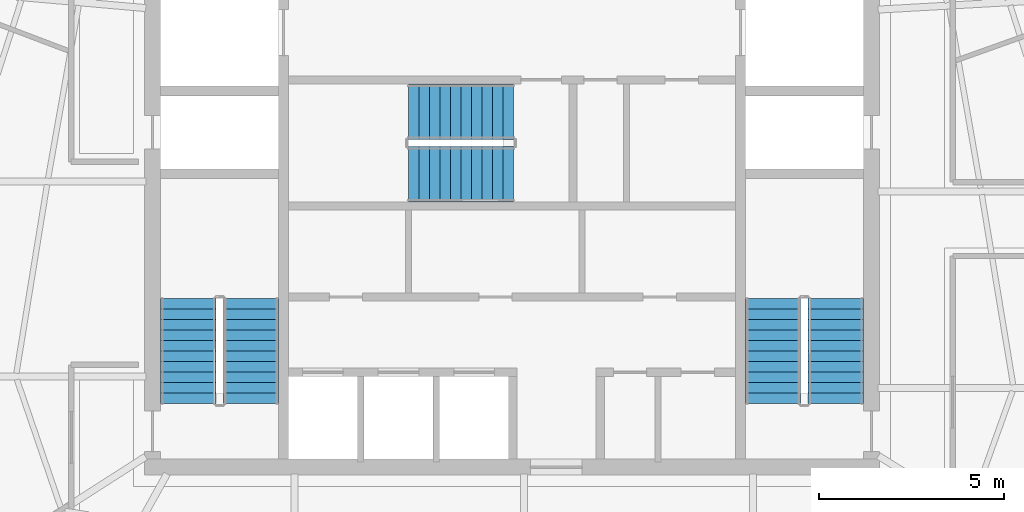
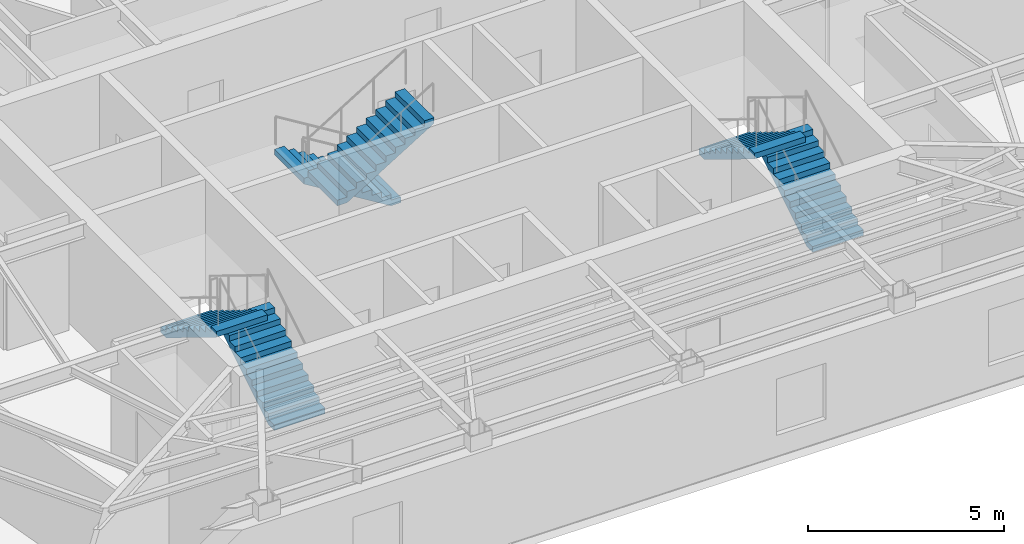
# One storey, part 10 of 11: 6 stair flights, 3 elements without a shape of their own.
"""IFC4 building model written with IfcOpenShell, lengths in metres."""

from ifc_helpers import new_model, si_unit, direction, frame, origin, place, context, subcontext, project, spatial, polyline, outline, extrude, material, type_object, element, aggregate, save


model = new_model("IFC4")

# Units and contexts
model_context = context("Model", 3, precision=1e-05, world=origin(), true_north=direction((0.0, 1.0)))
body_context = subcontext(model_context, "Body", "Model", "MODEL_VIEW")
ifc_project = project(units=[si_unit("LENGTHUNIT", "METRE"), si_unit("AREAUNIT", "SQUARE_METRE"), si_unit("VOLUMEUNIT", "CUBIC_METRE"), si_unit("PLANEANGLEUNIT", "RADIAN"), si_unit("MASSUNIT", "GRAM", prefix="KILO")], contexts=[model_context])

# Site, building, storey
site_placement = place(None, origin())
site = spatial("IfcSite", under=ifc_project, at=site_placement, CompositionType="ELEMENT")
building_placement = place(site_placement, origin())
building = spatial("IfcBuilding", under=site, at=building_placement, Name="Kavelnor Concourse Tower", CompositionType="ELEMENT")
storey_placement = place(building_placement, frame((0.0, 0.0, 195.800048828125)))
storey = spatial("IfcBuildingStorey", under=building, at=storey_placement, Name="L49", CompositionType="ELEMENT", Elevation=195.800048828125)

# Stair, stair flights
ifc_material = material(Name="Concrete C40/50", Category="concrete")
stair_type = type_object("IfcStairType", Name="STR-CORE-1500", PredefinedType="HALF_TURN_STAIR", material=ifc_material)
stair_1_placement = place(storey_placement, origin())
stair_1 = element("IfcStair", 1, at=stair_1_placement, inside=storey, type_object=stair_type, Name="L49 ST1", PredefinedType="HALF_TURN_STAIR")
stair_flight_type = type_object("IfcStairFlightType", Name="STR-FLIGHT-1500", PredefinedType="STRAIGHT", material=ifc_material)
stair_flight_1_placement = place(storey_placement, frame((30.929931640625, 11.10009765625, 0.0), z_axis=(0.0, 0.0, 1.0), x_axis=(0.0, 1.0, 0.0)))
stair_flight_1 = element("IfcStairFlight", 2, at=stair_flight_1_placement, type_object=stair_flight_type, Name="ST1 flight 1", NumberOfRisers=11, NumberOfTreads=10, PredefinedType="STRAIGHT", RiserHeight=0.175, TreadLength=0.285, context=body_context, shape_type="SweptSolid", body=[
    extrude(outline(polyline([(0.0, 0.0), (0.0, 0.175048828125), (0.284912109375, 0.175048828125), (0.284912109375, 0.35009765625), (0.570068359375, 0.35009765625), (0.570068359375, 0.52490234375), (0.85498046875, 0.52490234375), (0.85498046875, 0.699951171875), (1.139892578125, 0.699951171875), (1.139892578125, 0.875), (1.425048828125, 0.875), (1.425048828125, 1.050048828125), (1.7099609375, 1.050048828125), (1.7099609375, 1.22509765625), (1.9951171875, 1.22509765625), (1.9951171875, 1.39990234375), (2.280029296875, 1.39990234375), (2.280029296875, 1.574951171875), (2.56494140625, 1.574951171875), (2.56494140625, 1.75), (2.85009765625, 1.75), (2.85009765625, 1.925048828125), (2.85009765625, 1.573974609375), (0.286376953125, 0.0), (0.0, 0.0)])), frame((0.0, 0.75, 0.0), z_axis=(0.0, -1.0, 0.0), x_axis=(1.0, 0.0, 0.0)), (0.0, 0.0, 1.0), 1.5),
])
stair_flight_2_placement = place(storey_placement, frame((29.22998046875, 13.949951171875, 1.925048828125), z_axis=(0.0, 0.0, 1.0), x_axis=(0.0, -1.0, 0.0)))
stair_flight_2 = element("IfcStairFlight", 3, at=stair_flight_2_placement, type_object=stair_flight_type, Name="ST1 flight 2", NumberOfRisers=11, NumberOfTreads=10, PredefinedType="STRAIGHT", RiserHeight=0.175, TreadLength=0.285, context=body_context, shape_type="SweptSolid", body=[
    extrude(outline(polyline([(0.0, 0.0), (0.0, 0.175048828125), (0.284912109375, 0.175048828125), (0.284912109375, 0.35009765625), (0.570068359375, 0.35009765625), (0.570068359375, 0.52490234375), (0.85498046875, 0.52490234375), (0.85498046875, 0.699951171875), (1.139892578125, 0.699951171875), (1.139892578125, 0.875), (1.425048828125, 0.875), (1.425048828125, 1.050048828125), (1.7099609375, 1.050048828125), (1.7099609375, 1.22509765625), (1.9951171875, 1.22509765625), (1.9951171875, 1.39990234375), (2.280029296875, 1.39990234375), (2.280029296875, 1.574951171875), (2.56494140625, 1.574951171875), (2.56494140625, 1.75), (2.85009765625, 1.75), (2.85009765625, 1.925048828125), (2.85009765625, 1.573974609375), (0.286376953125, 0.0), (0.0, 0.0)])), frame((0.0, 0.75, 0.0), z_axis=(0.0, -1.0, 0.0), x_axis=(1.0, 0.0, 0.0)), (0.0, 0.0, 1.0), 1.5),
])
aggregate(stair_1, [stair_flight_1, stair_flight_2])

stair_2_placement = place(storey_placement, origin())
stair_2 = element("IfcStair", 4, at=stair_2_placement, inside=storey, type_object=stair_type, Name="L49 ST2", PredefinedType="HALF_TURN_STAIR")
stair_flight_3_placement = place(storey_placement, frame((46.77001953125, 11.10009765625, 0.0), z_axis=(0.0, 0.0, 1.0), x_axis=(0.0, 1.0, 0.0)))
stair_flight_3 = element("IfcStairFlight", 5, at=stair_flight_3_placement, type_object=stair_flight_type, Name="ST2 flight 1", NumberOfRisers=11, NumberOfTreads=10, PredefinedType="STRAIGHT", RiserHeight=0.175, TreadLength=0.285, context=body_context, shape_type="SweptSolid", body=[
    extrude(outline(polyline([(0.0, 0.0), (0.0, 0.175048828125), (0.284912109375, 0.175048828125), (0.284912109375, 0.35009765625), (0.570068359375, 0.35009765625), (0.570068359375, 0.52490234375), (0.85498046875, 0.52490234375), (0.85498046875, 0.699951171875), (1.139892578125, 0.699951171875), (1.139892578125, 0.875), (1.425048828125, 0.875), (1.425048828125, 1.050048828125), (1.7099609375, 1.050048828125), (1.7099609375, 1.22509765625), (1.9951171875, 1.22509765625), (1.9951171875, 1.39990234375), (2.280029296875, 1.39990234375), (2.280029296875, 1.574951171875), (2.56494140625, 1.574951171875), (2.56494140625, 1.75), (2.85009765625, 1.75), (2.85009765625, 1.925048828125), (2.85009765625, 1.573974609375), (0.286376953125, 0.0), (0.0, 0.0)])), frame((0.0, 0.75, 0.0), z_axis=(0.0, -1.0, 0.0), x_axis=(1.0, 0.0, 0.0)), (0.0, 0.0, 1.0), 1.5),
])
stair_flight_4_placement = place(storey_placement, frame((45.070068359375, 13.949951171875, 1.925048828125), z_axis=(0.0, 0.0, 1.0), x_axis=(0.0, -1.0, 0.0)))
stair_flight_4 = element("IfcStairFlight", 6, at=stair_flight_4_placement, type_object=stair_flight_type, Name="ST2 flight 2", NumberOfRisers=11, NumberOfTreads=10, PredefinedType="STRAIGHT", RiserHeight=0.175, TreadLength=0.285, context=body_context, shape_type="SweptSolid", body=[
    extrude(outline(polyline([(0.0, 0.0), (0.0, 0.175048828125), (0.284912109375, 0.175048828125), (0.284912109375, 0.35009765625), (0.570068359375, 0.35009765625), (0.570068359375, 0.52490234375), (0.85498046875, 0.52490234375), (0.85498046875, 0.699951171875), (1.139892578125, 0.699951171875), (1.139892578125, 0.875), (1.425048828125, 0.875), (1.425048828125, 1.050048828125), (1.7099609375, 1.050048828125), (1.7099609375, 1.22509765625), (1.9951171875, 1.22509765625), (1.9951171875, 1.39990234375), (2.280029296875, 1.39990234375), (2.280029296875, 1.574951171875), (2.56494140625, 1.574951171875), (2.56494140625, 1.75), (2.85009765625, 1.75), (2.85009765625, 1.925048828125), (2.85009765625, 1.573974609375), (0.286376953125, 0.0), (0.0, 0.0)])), frame((0.0, 0.75, 0.0), z_axis=(0.0, -1.0, 0.0), x_axis=(1.0, 0.0, 0.0)), (0.0, 0.0, 1.0), 1.5),
])
aggregate(stair_2, [stair_flight_3, stair_flight_4])

stair_3_placement = place(storey_placement, origin())
stair_3 = element("IfcStair", 7, at=stair_3_placement, inside=storey, type_object=stair_type, Name="L49 ST3", PredefinedType="HALF_TURN_STAIR")
stair_flight_5_placement = place(storey_placement, frame((38.0400390625, 19.010009765625, 0.0), z_axis=(0.0, 0.0, 1.0), x_axis=(-1.0, 0.0, 0.0)))
stair_flight_5 = element("IfcStairFlight", 8, at=stair_flight_5_placement, type_object=stair_flight_type, Name="ST3 flight 1", NumberOfRisers=11, NumberOfTreads=10, PredefinedType="STRAIGHT", RiserHeight=0.175, TreadLength=0.285, context=body_context, shape_type="SweptSolid", body=[
    extrude(outline(polyline([(0.0, 0.0), (0.0, 0.175048828125), (0.284912109375, 0.175048828125), (0.284912109375, 0.35009765625), (0.570068359375, 0.35009765625), (0.570068359375, 0.52490234375), (0.85498046875, 0.52490234375), (0.85498046875, 0.699951171875), (1.139892578125, 0.699951171875), (1.139892578125, 0.875), (1.425048828125, 0.875), (1.425048828125, 1.050048828125), (1.7099609375, 1.050048828125), (1.7099609375, 1.22509765625), (1.9951171875, 1.22509765625), (1.9951171875, 1.39990234375), (2.280029296875, 1.39990234375), (2.280029296875, 1.574951171875), (2.56494140625, 1.574951171875), (2.56494140625, 1.75), (2.85009765625, 1.75), (2.85009765625, 1.925048828125), (2.85009765625, 1.573974609375), (0.286376953125, 0.0), (0.0, 0.0)])), frame((0.0, 0.75, 0.0), z_axis=(0.0, -1.0, 0.0), x_axis=(1.0, 0.0, 0.0)), (0.0, 0.0, 1.0), 1.5),
])
stair_flight_6_placement = place(storey_placement, frame((35.18994140625, 17.31005859375, 1.925048828125), z_axis=(0.0, 0.0, 1.0), x_axis=(1.0, 0.0, 0.0)))
stair_flight_6 = element("IfcStairFlight", 9, at=stair_flight_6_placement, type_object=stair_flight_type, Name="ST3 flight 2", NumberOfRisers=11, NumberOfTreads=10, PredefinedType="STRAIGHT", RiserHeight=0.175, TreadLength=0.285, context=body_context, shape_type="SweptSolid", body=[
    extrude(outline(polyline([(0.0, 0.0), (0.0, 0.175048828125), (0.284912109375, 0.175048828125), (0.284912109375, 0.35009765625), (0.570068359375, 0.35009765625), (0.570068359375, 0.52490234375), (0.85498046875, 0.52490234375), (0.85498046875, 0.699951171875), (1.139892578125, 0.699951171875), (1.139892578125, 0.875), (1.425048828125, 0.875), (1.425048828125, 1.050048828125), (1.7099609375, 1.050048828125), (1.7099609375, 1.22509765625), (1.9951171875, 1.22509765625), (1.9951171875, 1.39990234375), (2.280029296875, 1.39990234375), (2.280029296875, 1.574951171875), (2.56494140625, 1.574951171875), (2.56494140625, 1.75), (2.85009765625, 1.75), (2.85009765625, 1.925048828125), (2.85009765625, 1.573974609375), (0.286376953125, 0.0), (0.0, 0.0)])), frame((0.0, 0.75, 0.0), z_axis=(0.0, -1.0, 0.0), x_axis=(1.0, 0.0, 0.0)), (0.0, 0.0, 1.0), 1.5),
])
aggregate(stair_3, [stair_flight_5, stair_flight_6])

save(model, "model.ifc")
